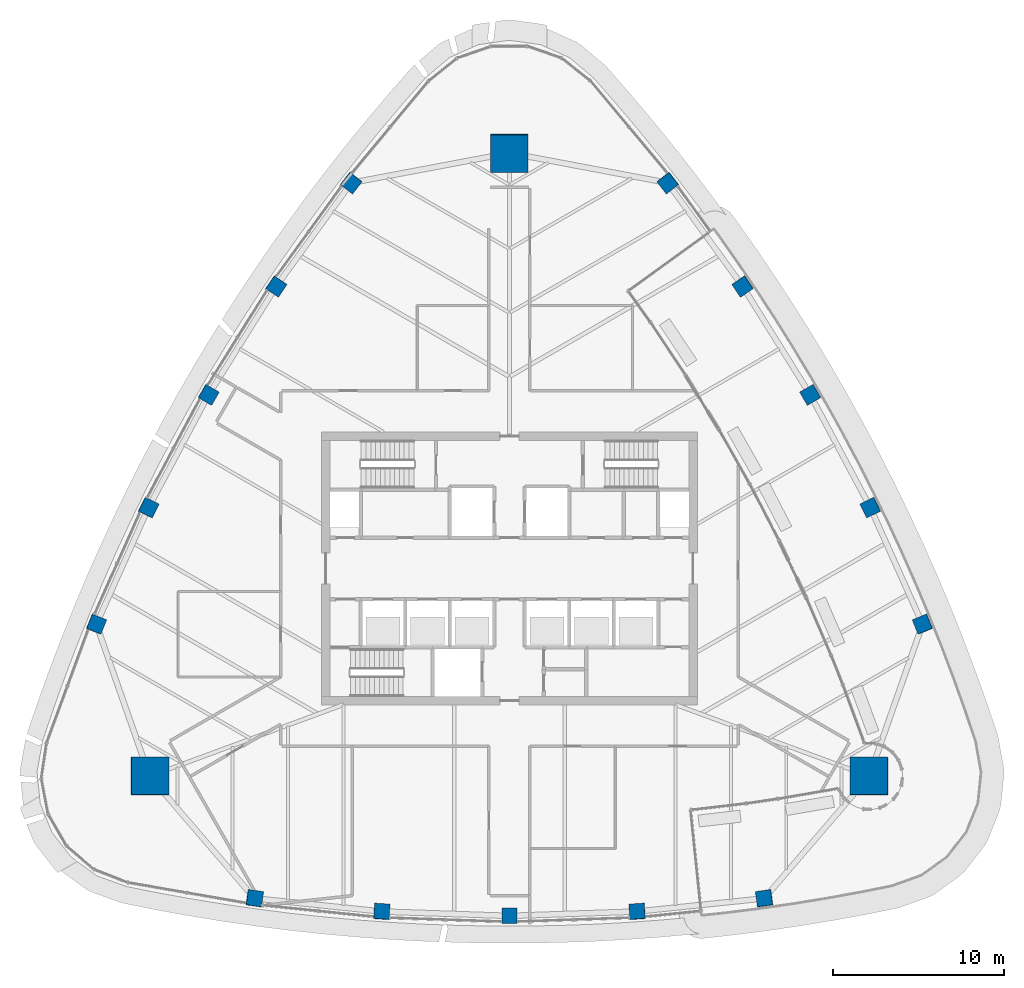
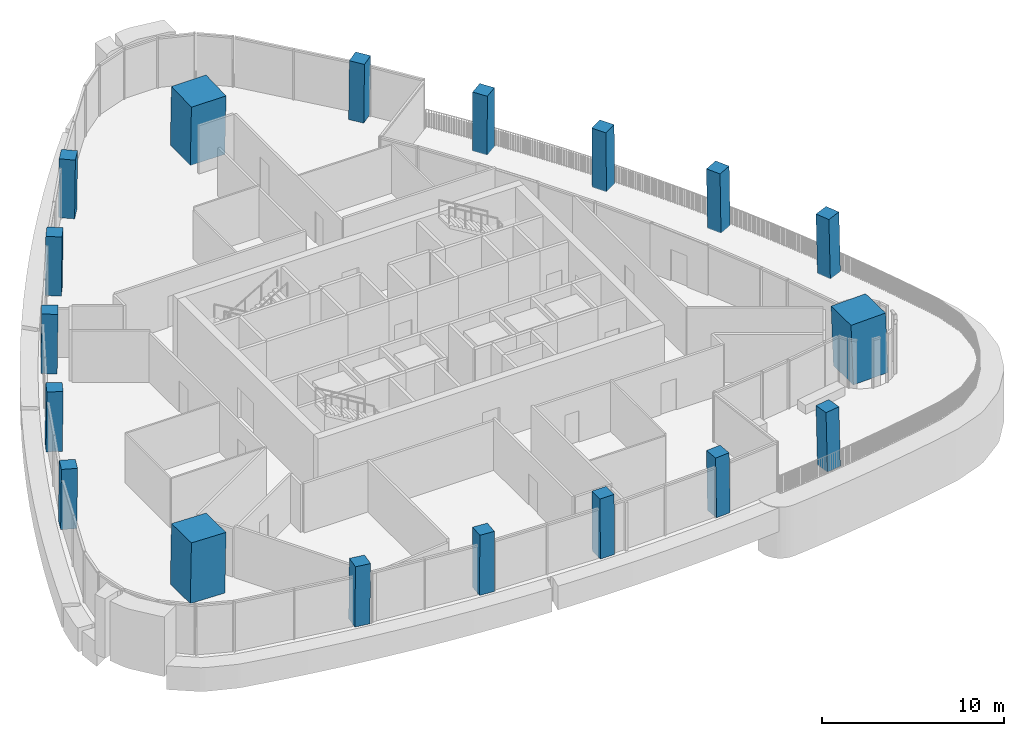
# One storey, part 1 of 20: 18 columns.
"""IFC4 building model written with IfcOpenShell, lengths in metres."""

from ifc_helpers import new_model, si_unit, direction, frame, origin, origin_2d, place, context, subcontext, project, spatial, rectangle, extrude, material, material_profile, profile_set, type_object, element, save


model = new_model("IFC4")

# Units and contexts
model_context = context("Model", 3, precision=1e-05, world=origin(), true_north=direction((0.0, 1.0)))
body_context = subcontext(model_context, "Body", "Model", "MODEL_VIEW")
ifc_project = project(units=[si_unit("LENGTHUNIT", "METRE"), si_unit("AREAUNIT", "SQUARE_METRE"), si_unit("VOLUMEUNIT", "CUBIC_METRE"), si_unit("PLANEANGLEUNIT", "RADIAN"), si_unit("MASSUNIT", "GRAM", prefix="KILO")], contexts=[model_context])

# Site, building, storey
site_placement = place(None, origin())
site = spatial("IfcSite", under=ifc_project, at=site_placement, CompositionType="ELEMENT")
building_placement = place(site_placement, origin())
building = spatial("IfcBuilding", under=site, at=building_placement, Name="Sierra Prisma Convention Tower", CompositionType="ELEMENT")
storey_placement = place(building_placement, frame((0.0, 0.0, 275.0)))
storey = spatial("IfcBuildingStorey", under=building, at=storey_placement, Name="L62", CompositionType="ELEMENT", Elevation=275.0)

# Columns
ifc_material_1 = material(Name="Concrete C50/60", Category="concrete")
ifc_material_profile_1 = material_profile(ifc_material_1, rectangle(XDim=2.199951171875, YDim=2.199951171875, at=origin_2d()), Name="Mega column RC 2200 C50/60")
ifc_profile_set_1 = profile_set([ifc_material_profile_1], Name="Concrete C50/60")
column_type_1 = type_object("IfcColumnType", Name="Mega column RC 2200 C50/60", PredefinedType="COLUMN", material=ifc_profile_set_1)
for number, where, z_axis, x_axis, name in (
    (1, (21.066650390625, -12.162841796875, 0.0), (-0.027756720281, 0.01604399436, 0.999485945236), (0.999614708015, 0.000445500311, 0.027753144871), "Mega column SE L62"),
    (2, (0.0, 24.32568359375, 0.0), (0.0, -0.032087959942, 0.999485048826), (1.0, 0.0, 0.0), "Mega column N L62"),
    (3, (-21.066650390625, -12.162841796875, 0.0), (0.027756720281, 0.01604399436, 0.999485945236), (0.999614708015, -0.000445500311, -0.027753144871), "Mega column SW L62"),
):
    element("IfcColumn", number, at=place(storey_placement, frame(where, z_axis=z_axis, x_axis=x_axis)), inside=storey, type_object=column_type_1, Name=name, PredefinedType="COLUMN", context=body_context, shape_type="SweptSolid", body=[
        extrude(rectangle(XDim=2.199951171875, YDim=2.199951171875, at=origin_2d()), origin(), (0.0, 0.0, 1.0), 4.001953125),
    ])
ifc_material_2 = material(Name="Concrete C50/60", Category="concrete")
ifc_material_profile_2 = material_profile(ifc_material_2, rectangle(XDim=0.89990234375, YDim=0.89990234375, at=origin_2d()), Name="Perimeter column RC 900 C50/60")
ifc_profile_set_2 = profile_set([ifc_material_profile_2], Name="Concrete C50/60")
column_type_2 = type_object("IfcColumnType", Name="Perimeter column RC 900 C50/60", PredefinedType="COLUMN", material=ifc_profile_set_2)
column_1_placement = place(storey_placement, frame((-14.921142578125, -19.31396484375, 0.0), z_axis=(0.017452456582, 0.010373837829, 0.999793876381), x_axis=(-0.990437350176, 0.137047764471, 0.015867124157)))
element("IfcColumn", 4, at=column_1_placement, inside=storey, type_object=column_type_2, Name="Perimeter column S-1 L62", PredefinedType="COLUMN", context=body_context, shape_type="SweptSolid", body=[
    extrude(rectangle(XDim=0.89990234375, YDim=0.89990234375, at=origin_2d()), origin(), (0.0, 0.0, 1.0), 4.000732421875),
])
column_2_placement = place(storey_placement, frame((-7.478271484375, -20.083251953125, 0.0), z_axis=(0.008788174922, 0.01116830563, 0.999899013366), x_axis=(-0.997605695254, 0.068693994382, 0.008000745797)))
element("IfcColumn", 5, at=column_2_placement, inside=storey, type_object=column_type_2, Name="Perimeter column S-2 L62", PredefinedType="COLUMN", context=body_context, shape_type="SweptSolid", body=[
    extrude(rectangle(XDim=0.89990234375, YDim=0.89990234375, at=origin_2d()), origin(), (0.0, 0.0, 1.0), 4.00048828125),
])
column_3_placement = place(storey_placement, frame((0.0, -20.340087890625, 0.0), z_axis=(0.0, 0.011473854038, 0.99993417317), x_axis=(1.0, 0.0, 0.0)))
element("IfcColumn", 6, at=column_3_placement, inside=storey, type_object=column_type_2, Name="Perimeter column S-3 L62", PredefinedType="COLUMN", context=body_context, shape_type="SweptSolid", body=[
    extrude(rectangle(XDim=0.89990234375, YDim=0.89990234375, at=origin_2d()), origin(), (0.0, 0.0, 1.0), 4.000244140625),
])
column_4_placement = place(storey_placement, frame((7.478271484375, -20.083251953125, 0.0), z_axis=(-0.008788174922, 0.01116830563, 0.999899013366), x_axis=(0.997605695254, 0.068693994382, 0.008000745797)))
element("IfcColumn", 7, at=column_4_placement, inside=storey, type_object=column_type_2, Name="Perimeter column S-4 L62", PredefinedType="COLUMN", context=body_context, shape_type="SweptSolid", body=[
    extrude(rectangle(XDim=0.89990234375, YDim=0.89990234375, at=origin_2d()), origin(), (0.0, 0.0, 1.0), 4.00048828125),
])
for number, where, z_axis, x_axis, name in (
    (8, (14.921142578125, -19.31396484375, 0.0), (-0.017452456582, 0.010373837829, 0.999793876381), (0.990437350176, 0.137047764471, 0.015867124157), "Perimeter column S-5 L62"),
    (9, (24.18701171875, -3.264892578125, 0.0), (-0.017757561888, 0.00988565301, 0.999793450099), (-0.376696820027, 0.926201019162, -0.015848592513), "Perimeter column NE-1 L62"),
):
    element("IfcColumn", number, at=place(storey_placement, frame(where, z_axis=z_axis, x_axis=x_axis)), inside=storey, type_object=column_type_2, Name=name, PredefinedType="COLUMN", context=body_context, shape_type="SweptSolid", body=[
        extrude(rectangle(XDim=0.89990234375, YDim=0.89990234375, at=origin_2d()), origin(), (0.0, 0.0, 1.0), 4.000732421875),
    ])
column_5_placement = place(storey_placement, frame((21.131591796875, 3.565185546875, 0.0), z_axis=(-0.014036674448, 0.002013957638, 0.999899452818), x_axis=(-0.4393691729, 0.898271169946, -0.007977164207)))
element("IfcColumn", 10, at=column_5_placement, inside=storey, type_object=column_type_2, Name="Perimeter column NE-2 L62", PredefinedType="COLUMN", context=body_context, shape_type="SweptSolid", body=[
    extrude(rectangle(XDim=0.89990234375, YDim=0.89990234375, at=origin_2d()), origin(), (0.0, 0.0, 1.0), 4.00048828125),
])
column_6_placement = place(storey_placement, frame((17.614990234375, 10.169921875, 0.0), z_axis=(-0.009887052741, -0.005675900648, 0.999935013058), x_axis=(-0.49997556095, 0.866039512773, -2.7732311e-05)))
element("IfcColumn", 11, at=column_6_placement, inside=storey, type_object=column_type_2, Name="Perimeter column NE-3 L62", PredefinedType="COLUMN", context=body_context, shape_type="SweptSolid", body=[
    extrude(rectangle(XDim=0.89990234375, YDim=0.89990234375, at=origin_2d()), origin(), (0.0, 0.0, 1.0), 4.000244140625),
])
column_7_placement = place(storey_placement, frame((13.653564453125, 16.517822265625, 0.0), z_axis=(-0.005309522349, -0.013182262383, 0.999899013366), x_axis=(-0.558223889055, 0.829652042418, 0.007973593922)))
element("IfcColumn", 12, at=column_7_placement, inside=storey, type_object=column_type_2, Name="Perimeter column NE-4 L62", PredefinedType="COLUMN", context=body_context, shape_type="SweptSolid", body=[
    extrude(rectangle(XDim=0.89990234375, YDim=0.89990234375, at=origin_2d()), origin(), (0.0, 0.0, 1.0), 4.00048828125),
])
for number, where, z_axis, x_axis, name in (
    (13, (9.265869140625, 22.5791015625, 0.0), (-0.000244090207, -0.020320509722, 0.999793487329), (-0.613831977971, 0.789276724937, 0.015891956878), "Perimeter column NE-5 L62"),
    (14, (-9.265869140625, 22.5791015625, 0.0), (0.000244090207, -0.020320509722, 0.999793487329), (0.613831977971, 0.789276724937, 0.015891956878), "Perimeter column NW-1 L62"),
):
    element("IfcColumn", number, at=place(storey_placement, frame(where, z_axis=z_axis, x_axis=x_axis)), inside=storey, type_object=column_type_2, Name=name, PredefinedType="COLUMN", context=body_context, shape_type="SweptSolid", body=[
        extrude(rectangle(XDim=0.89990234375, YDim=0.89990234375, at=origin_2d()), origin(), (0.0, 0.0, 1.0), 4.000732421875),
    ])
column_8_placement = place(storey_placement, frame((-13.653564453125, 16.517822265625, 0.0), z_axis=(0.005309522349, -0.013182262383, 0.999899013366), x_axis=(0.558223889055, 0.829652042418, 0.007973593922)))
element("IfcColumn", 15, at=column_8_placement, inside=storey, type_object=column_type_2, Name="Perimeter column NW-2 L62", PredefinedType="COLUMN", context=body_context, shape_type="SweptSolid", body=[
    extrude(rectangle(XDim=0.89990234375, YDim=0.89990234375, at=origin_2d()), origin(), (0.0, 0.0, 1.0), 4.00048828125),
])
column_9_placement = place(storey_placement, frame((-17.614990234375, 10.169921875, 0.0), z_axis=(0.009887052741, -0.005675900648, 0.999935013058), x_axis=(0.49997556095, 0.866039512773, -2.7732311e-05)))
element("IfcColumn", 16, at=column_9_placement, inside=storey, type_object=column_type_2, Name="Perimeter column NW-3 L62", PredefinedType="COLUMN", context=body_context, shape_type="SweptSolid", body=[
    extrude(rectangle(XDim=0.89990234375, YDim=0.89990234375, at=origin_2d()), origin(), (0.0, 0.0, 1.0), 4.000244140625),
])
column_10_placement = place(storey_placement, frame((-21.131591796875, 3.565185546875, 0.0), z_axis=(0.014036674448, 0.002013957638, 0.999899452818), x_axis=(0.4393691729, 0.898271169946, -0.007977164207)))
element("IfcColumn", 17, at=column_10_placement, inside=storey, type_object=column_type_2, Name="Perimeter column NW-4 L62", PredefinedType="COLUMN", context=body_context, shape_type="SweptSolid", body=[
    extrude(rectangle(XDim=0.89990234375, YDim=0.89990234375, at=origin_2d()), origin(), (0.0, 0.0, 1.0), 4.00048828125),
])
column_11_placement = place(storey_placement, frame((-24.18701171875, -3.264892578125, 0.0), z_axis=(0.017757561888, 0.00988565301, 0.999793450099), x_axis=(0.376696820027, 0.926201019162, -0.015848592513)))
element("IfcColumn", 18, at=column_11_placement, inside=storey, type_object=column_type_2, Name="Perimeter column NW-5 L62", PredefinedType="COLUMN", context=body_context, shape_type="SweptSolid", body=[
    extrude(rectangle(XDim=0.89990234375, YDim=0.89990234375, at=origin_2d()), origin(), (0.0, 0.0, 1.0), 4.000732421875),
])

save(model, "model.ifc")
